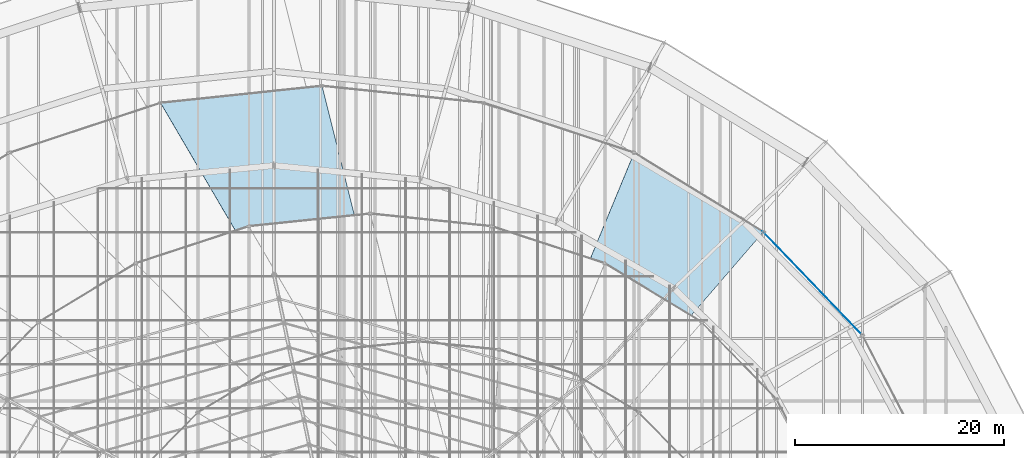
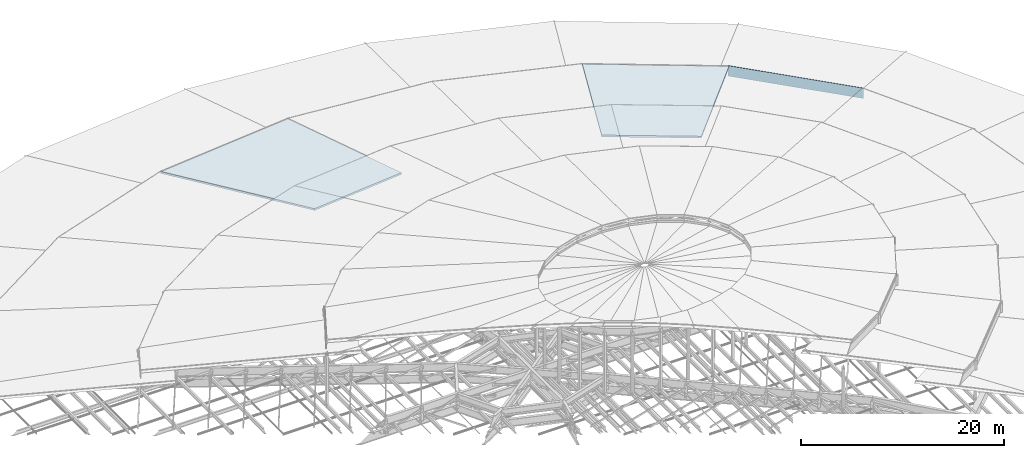
# One storey, part 153 of 184: 2 slabs, 1 plate.
"""IFC4 building model written with IfcOpenShell, lengths in metres."""

from ifc_helpers import new_model, si_unit, direction, frame, origin, origin_2d, place, context, subcontext, project, spatial, polyline, rectangle, outline, extrude, material, layer, layer_set, type_object, element, save


model = new_model("IFC4")

# Units and contexts
model_context = context("Model", 3, precision=1e-05, world=origin(), true_north=direction((0.0, 1.0)))
body_context = subcontext(model_context, "Body", "Model", "MODEL_VIEW")
ifc_project = project(units=[si_unit("LENGTHUNIT", "METRE"), si_unit("AREAUNIT", "SQUARE_METRE"), si_unit("VOLUMEUNIT", "CUBIC_METRE"), si_unit("PLANEANGLEUNIT", "RADIAN"), si_unit("MASSUNIT", "GRAM", prefix="KILO")], contexts=[model_context])

# Site, building, storey
site_placement = place(None, origin())
site = spatial("IfcSite", under=ifc_project, at=site_placement, CompositionType="ELEMENT")
building_placement = place(site_placement, origin())
building = spatial("IfcBuilding", under=site, at=building_placement, Name="Kalgoora Escarpment Arena", CompositionType="ELEMENT")
storey_placement = place(building_placement, frame((0.0, 0.0, 27.60009765625)))
storey = spatial("IfcBuildingStorey", under=building, at=storey_placement, Name="Roof Level", CompositionType="ELEMENT", Elevation=27.60009765625)

# Plate
ifc_material_1 = material(Name="Low-E double-glazed petal clerestory glass", Category="glass")
ifc_layer_1 = layer(ifc_material_1, 0.035888671875)
ifc_layer_set_1 = layer_set([ifc_layer_1], Name="PLT-PETAL-CLERESTORY")
plate_type = type_object("IfcPlateType", Name="PLT-PETAL-CLERESTORY", PredefinedType="USERDEFINED", material=ifc_layer_set_1)
plate_placement = place(storey_placement, frame((143.87939453125, 92.729248046875, 0.260009765625), z_axis=(0.0, 0.0, 1.0), x_axis=(-0.692772764861, 0.721155944485, 0.0)))
element("IfcPlate", 1, at=plate_placement, inside=storey, type_object=plate_type, Name="Petal RP2 glazed clerestory collar panel S03", ObjectType="CLERESTORY PANEL", PredefinedType="USERDEFINED", context=body_context, shape_type="SweptSolid", body=[
    extrude(rectangle(XDim=13.8759765625, YDim=0.0400390625, at=origin_2d()), origin(), (0.0, 0.0, 1.0), 1.25),
])

# Slabs
ifc_material_2 = material(Name="White acoustic composite Concrete N40 (fc' 40 MPa)", Category="concrete")
ifc_layer_2 = layer(ifc_material_2, 0.205078125)
ifc_layer_set_2 = layer_set([ifc_layer_2], Name="SLB-PETAL-RP2")
slab_type = type_object("IfcSlabType", Name="SLB-PETAL-RP2", PredefinedType="ROOF", material=ifc_layer_set_2)
slab_1_placement = place(storey_placement, frame((139.1435546875, 97.658203125, 1.449951171875), z_axis=(0.057777987946, 0.094264103195, 0.993869198113), x_axis=(-0.852621682458, 0.522528723184, 7.107381e-06)))
element("IfcSlab", 2, at=slab_1_placement, inside=storey, type_object=slab_type, Name="Shifted white roof petal RP2 sector 04", PredefinedType="ROOF", context=body_context, shape_type="SweptSolid", body=[
    extrude(outline(polyline([(0.0, 0.0), (14.477112336728657, 0.0), (12.183985743706522, 14.52899457814975), (2.357467955290646, 14.47093624286829), (0.0, 0.0)])), origin(), (0.0, 0.0, -1.0), 0.205078125),
])
slab_2_placement = place(storey_placement, frame((97.0, 111.60009765625, 1.449951171875), z_axis=(-0.010446375176, 0.099431215908, 0.994989601226), x_axis=(-0.994516756128, -0.104577347907, 9.20382e-06)))
element("IfcSlab", 3, at=slab_2_placement, inside=storey, type_object=slab_type, Name="Shifted white roof petal RP2 sector 07", PredefinedType="ROOF", context=body_context, shape_type="SweptSolid", body=[
    extrude(outline(polyline([(0.0, 0.0), (15.51058693895282, -4.440892098500626e-16), (8.307420881358235, 15.989006835254665), (-2.2570415430200046, 16.0036169134208), (0.0, 0.0)])), origin(), (0.0, 0.0, -1.0), 0.205078125),
])

save(model, "model.ifc")
